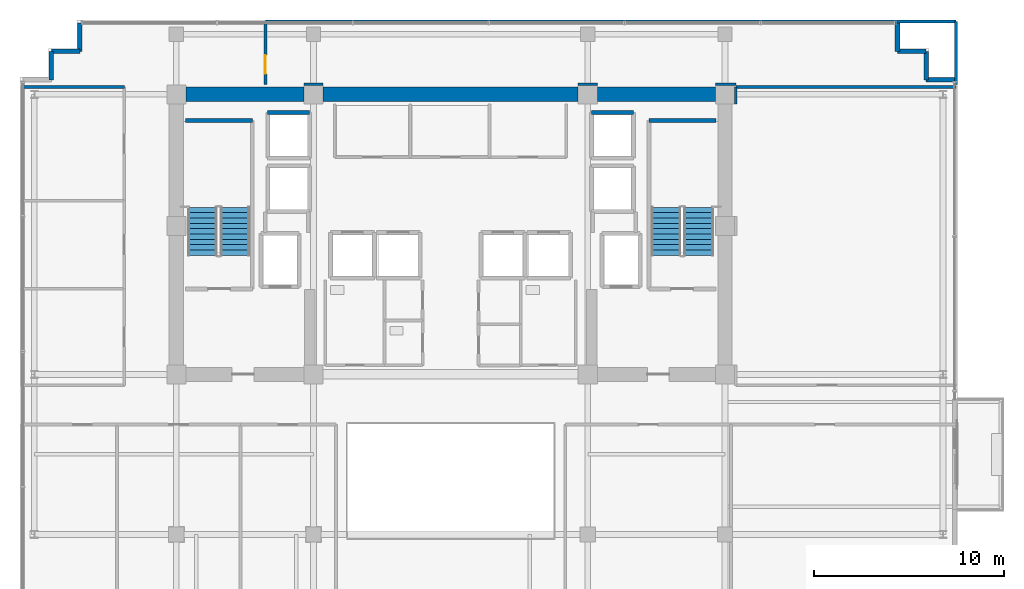
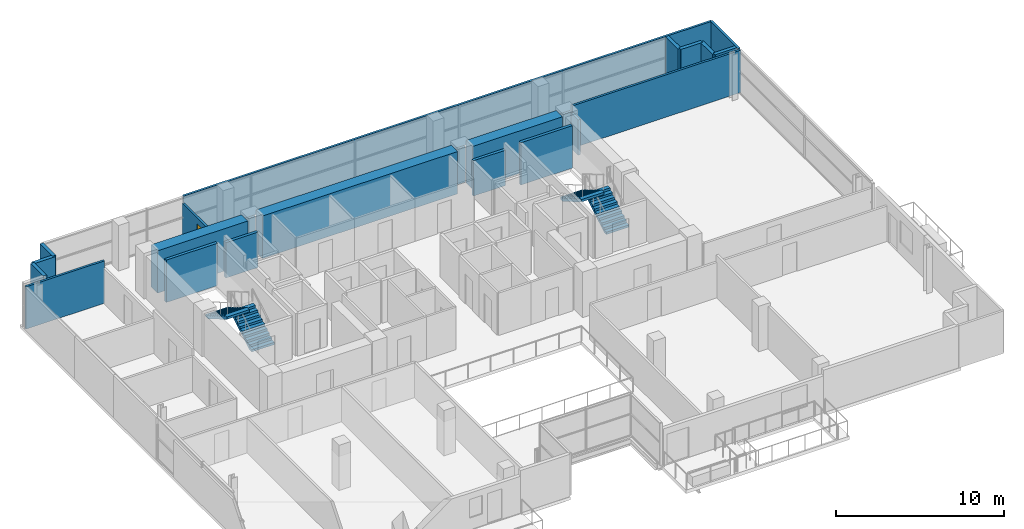
# One storey, part 19 of 23: 23 walls, 4 stair flights, 1 door, 1 opening, 2 elements without a shape of their own.
"""IFC4 building model written with IfcOpenShell, lengths in metres."""

from ifc_helpers import new_model, si_unit, direction, frame, frame_2d, origin, place, context, subcontext, project, spatial, polyline, rectangle, outline, extrude, source, transform, mapped, material, layer, layer_set, type_object, element, fill, aggregate, save


model = new_model("IFC4")

# Units and contexts
model_context = context("Model", 3, precision=1e-05, world=origin(), true_north=direction((0.0, 1.0)))
body_context = subcontext(model_context, "Body", "Model", "MODEL_VIEW")
ifc_project = project(units=[si_unit("LENGTHUNIT", "METRE"), si_unit("AREAUNIT", "SQUARE_METRE"), si_unit("VOLUMEUNIT", "CUBIC_METRE"), si_unit("PLANEANGLEUNIT", "RADIAN"), si_unit("MASSUNIT", "GRAM", prefix="KILO")], contexts=[model_context])

# Site, building, storey
site_placement = place(None, origin())
site = spatial("IfcSite", under=ifc_project, at=site_placement, CompositionType="ELEMENT")
building_placement = place(site_placement, origin())
building = spatial("IfcBuilding", under=site, at=building_placement, Name="Zarnakvel Exchange Tower", CompositionType="ELEMENT")
storey_placement = place(building_placement, frame((0.0, 0.0, 175.89990234375)))
storey = spatial("IfcBuildingStorey", under=building, at=storey_placement, Name="L49", CompositionType="ELEMENT", Elevation=175.89990234375)

# Walls
ifc_material_1 = material(Name="Concrete C60/75", Category="concrete")
ifc_layer_1 = layer(ifc_material_1, 0.75)
ifc_layer_set_1 = layer_set([ifc_layer_1], Name="Concrete C60/75")
wall_type_1 = type_object("IfcWallType", Name="CW-C3", PredefinedType="SHEAR", material=ifc_layer_set_1)
wall_1_placement = place(storey_placement, frame((-13.89990234375, 13.5, 0.0), z_axis=(0.0, 0.0, 1.0), x_axis=(1.0, 0.0, 0.0)))
element("IfcWall", 1, at=wall_1_placement, inside=storey, type_object=wall_type_1, Name="L49 Rear Core Shear Wall N1 (CW-C3)", PredefinedType="SHEAR", context=body_context, shape_type="SweptSolid", body=[
    extrude(rectangle(XDim=6.199951171875, YDim=0.75, at=frame_2d((3.10009765625, 0.0))), origin(), (0.0, 0.0, 1.0), 3.0751953125),
])
wall_2_placement = place(storey_placement, frame((-6.699951171875, 13.5, 0.0), z_axis=(0.0, 0.0, 1.0), x_axis=(1.0, 0.0, 0.0)))
element("IfcWall", 2, at=wall_2_placement, inside=storey, type_object=wall_type_1, Name="L49 Rear Core Shear Wall N2 (CW-C3)", PredefinedType="SHEAR", context=body_context, shape_type="SweptSolid", body=[
    extrude(rectangle(XDim=13.39990234375, YDim=0.75, at=frame_2d((6.699951171875, 0.0))), origin(), (0.0, 0.0, 1.0), 3.0751953125),
])
wall_3_placement = place(storey_placement, frame((7.699951171875, 13.5, 0.0), z_axis=(0.0, 0.0, 1.0), x_axis=(1.0, 0.0, 0.0)))
element("IfcWall", 3, at=wall_3_placement, inside=storey, type_object=wall_type_1, Name="L49 Rear Core Shear Wall N3 (CW-C3)", PredefinedType="SHEAR", context=body_context, shape_type="SweptSolid", body=[
    extrude(rectangle(XDim=6.199951171875, YDim=0.75, at=frame_2d((3.10009765625, 0.0))), origin(), (0.0, 0.0, 1.0), 3.0751953125),
])
ifc_material_2 = material(Name="Precast concrete C40/50", Category="concrete")
ifc_layer_2 = layer(ifc_material_2, 0.239990234375)
ifc_layer_set_2 = layer_set([ifc_layer_2], Name="Precast concrete C40/50")
wall_type_2 = type_object("IfcWallType", Name="EW-02", PredefinedType="SOLIDWALL", material=ifc_layer_set_2)
for number, where, z_axis, x_axis, name in (
    (4, (-20.9599609375, 15.760009765625, 0.0), (0.0, 0.0, 1.0), (0.0, -1.0, 0.0), "L49 Exterior Precast Spandrel Wall EWC-L49-02 (EW-02)"),
    (5, (-19.4599609375, 15.760009765625, 0.0), (0.0, 0.0, 1.0), (-1.0, 0.0, 0.0), "L49 Exterior Precast Spandrel Wall EWC-L49-03 (EW-02)"),
    (6, (-19.4599609375, 17.260009765625, 0.0), (0.0, 0.0, 1.0), (0.0, -1.0, 0.0), "L49 Exterior Precast Spandrel Wall EWC-L49-04 (EW-02)"),
    (7, (23.4599609375, 15.760009765625, 0.0), (0.0, 0.0, 1.0), (0.0, 1.0, 0.0), "L49 Exterior Precast Spandrel Wall EWC-L49-05 (EW-02)"),
    (8, (24.9599609375, 15.760009765625, 0.0), (0.0, 0.0, 1.0), (-1.0, 0.0, 0.0), "L49 Exterior Precast Spandrel Wall EWC-L49-06 (EW-02)"),
    (9, (24.9599609375, 14.260009765625, 0.0), (0.0, 0.0, 1.0), (0.0, 1.0, 0.0), "L49 Exterior Precast Spandrel Wall EWC-L49-07 (EW-02)"),
    (10, (26.4599609375, 14.260009765625, 0.0), (0.0, 0.0, 1.0), (-1.0, 0.0, 0.0), "L49 Exterior Precast Spandrel Wall EWC-L49-08 (EW-02)"),
):
    element("IfcWall", number, at=place(storey_placement, frame(where, z_axis=z_axis, x_axis=x_axis)), inside=storey, type_object=wall_type_2, Name=name, PredefinedType="SOLIDWALL", context=body_context, shape_type="SweptSolid", body=[
        extrude(rectangle(XDim=1.5, YDim=0.239990234375, at=frame_2d((0.75, 0.0))), origin(), (0.0, 0.0, 1.0), 3.0751953125),
    ])
ifc_material_3 = material(Name="Fire-Rated Gypsum Stud Partition", Category="gypsum")
ifc_layer_3 = layer(ifc_material_3, 0.14990234375)
ifc_layer_set_3 = layer_set([ifc_layer_3], Name="Fire-Rated Gypsum Stud Partition")
wall_type_3 = type_object("IfcWallType", Name="PT-01", PredefinedType="PARTITIONING", material=ifc_layer_set_3)
wall_4_placement = place(storey_placement, frame((-22.530029296875, 13.8798828125, 0.0), z_axis=(0.0, 0.0, 1.0), x_axis=(1.0, 0.0, 0.0)))
element("IfcWall", 11, at=wall_4_placement, inside=storey, type_object=wall_type_3, Name="L49 Partition Wall PWALL-L49-058 (PT-01)", PredefinedType="PARTITIONING", context=body_context, shape_type="SweptSolid", body=[
    extrude(rectangle(XDim=5.400146484375, YDim=0.14990234375, at=frame_2d((2.7001953125, 0.0))), origin(), (0.0, 0.0, 1.0), 3.0751953125),
])
wall_5_placement = place(storey_placement, frame((14.969970703125, 13.8798828125, 0.0), z_axis=(0.0, 0.0, 1.0), x_axis=(1.0, 0.0, 0.0)))
element("IfcWall", 12, at=wall_5_placement, inside=storey, type_object=wall_type_3, Name="L49 Partition Wall PWALL-L49-062 (PT-01)", PredefinedType="PARTITIONING", context=body_context, shape_type="SweptSolid", body=[
    extrude(rectangle(XDim=11.56005859375, YDim=0.14990234375, at=frame_2d((5.780029296875, 0.0))), origin(), (0.0, 0.0, 1.0), 3.0751953125),
])
wall_6_placement = place(storey_placement, frame((14.969970703125, 13.0, 0.0), z_axis=(0.0, 0.0, 1.0), x_axis=(0.0, 1.0, 0.0)))
element("IfcWall", 13, at=wall_6_placement, inside=storey, type_object=wall_type_3, Name="L49 Partition Wall PWALL-L49-065 (PT-01)", PredefinedType="PARTITIONING", context=body_context, shape_type="SweptSolid", body=[
    extrude(rectangle(XDim=0.8798828125, YDim=0.14990234375, at=frame_2d((0.43994140625, 0.0))), origin(), (0.0, 0.0, 1.0), 2.565185546875),
])
for number, where, z_axis, x_axis, name in (
    (14, (-6.699951171875, 14.030029296875, 0.0), (0.0, 0.0, 1.0), (-1.0, 0.0, 0.0), "L49 Partition Wall PWALL-L49-067 (PT-01)"),
    (15, (7.699951171875, 14.030029296875, 0.0), (0.0, 0.0, 1.0), (-1.0, 0.0, 0.0), "L49 Partition Wall PWALL-L49-068 (PT-01)"),
):
    element("IfcWall", number, at=place(storey_placement, frame(where, z_axis=z_axis, x_axis=x_axis)), inside=storey, type_object=wall_type_3, Name=name, PredefinedType="PARTITIONING", context=body_context, shape_type="SweptSolid", body=[
        extrude(rectangle(XDim=1.0, YDim=0.14990234375, at=frame_2d((0.5, 0.0))), origin(), (0.0, 0.0, 1.0), 2.565185546875),
    ])
wall_7_placement = place(storey_placement, frame((14.969970703125, 14.030029296875, 0.0), z_axis=(0.0, 0.0, 1.0), x_axis=(-1.0, 0.0, 0.0)))
element("IfcWall", 16, at=wall_7_placement, inside=storey, type_object=wall_type_3, Name="L49 Partition Wall PWALL-L49-069 (PT-01)", PredefinedType="PARTITIONING", context=body_context, shape_type="SweptSolid", body=[
    extrude(rectangle(XDim=1.070068359375, YDim=0.14990234375, at=frame_2d((0.53515625, 0.0))), origin(), (0.0, 0.0, 1.0), 2.565185546875),
])
wall_8_placement = place(storey_placement, frame((-9.719970703125, 17.330078125, 0.0), z_axis=(0.0, 0.0, 1.0), x_axis=(1.0, 0.0, 0.0)))
element("IfcWall", 17, at=wall_8_placement, inside=storey, type_object=wall_type_3, Name="L49 Partition Wall PWALL-L49-070 (PT-01)", PredefinedType="PARTITIONING", context=body_context, shape_type="SweptSolid", body=[
    extrude(rectangle(XDim=36.25, YDim=0.14990234375, at=frame_2d((18.125, 0.0))), origin(), (0.0, 0.0, 1.0), 3.0751953125),
])

# Wall, opening, door
wall_9_placement = place(storey_placement, frame((-9.719970703125, 14.030029296875, 0.0), z_axis=(0.0, 0.0, 1.0), x_axis=(0.0, 1.0, 0.0)))
wall_9 = element("IfcWall", 18, at=wall_9_placement, inside=storey, type_object=wall_type_3, Name="L49 Partition Wall PWALL-L49-071 (PT-01)", PredefinedType="PARTITIONING", context=body_context, shape_type="SweptSolid", body=[
    extrude(rectangle(XDim=3.300048828125, YDim=0.14990234375, at=frame_2d((1.64990234375, 0.0))), origin(), (0.0, 0.0, 1.0), 2.565185546875),
])
opening_placement = place(wall_9_placement, frame((0.550048828125, 0.0, 0.0)))
opening = element("IfcOpeningElement", 19, at=opening_placement, cuts=wall_9, Name="Opening D-L49-23", PredefinedType="OPENING", context=body_context, shape_type="SweptSolid", body=[
    extrude(rectangle(XDim=0.97998046875, YDim=2.14990234375, at=frame_2d((0.489990234375, 1.074951171875))), frame((0.0, 0.0849609375, 0.0), z_axis=(0.0, -1.0, 0.0), x_axis=(1.0, 0.0, 0.0)), (0.0, 0.0, 1.0), 0.169921875),
])
ifc_material_4 = material(Name="Timber Acoustic Veneer", Category="wood")
door_type = type_object("IfcDoorType", Name="DT-05", OperationType="NOTDEFINED", PredefinedType="DOOR", material=ifc_material_4)
shared_shape = source(origin(), body_context, "Body", "SweptSolid", [
    extrude(rectangle(XDim=0.97998046875, YDim=2.14990234375, at=frame_2d((0.489990234375, 1.074951171875))), frame((0.0, 0.02490234375, 0.0), z_axis=(0.0, -1.0, 0.0), x_axis=(1.0, 0.0, 0.0)), (0.0, 0.0, 1.0), 0.050048828125),
])
door_placement = place(opening_placement, origin())
door = element("IfcDoor", 20, at=door_placement, inside=storey, type_object=door_type, Name="L49 Fintech Workspace Door D-L49-23", OperationType="SINGLE_SWING_LEFT", OverallHeight=2.14990234375, OverallWidth=0.97998046875, PredefinedType="DOOR", context=body_context, shape_type="MappedRepresentation", body=[
    mapped(shared_shape, transform((0.0, 0.0, 0.0), x_axis=(1.0, 0.0, 0.0), y_axis=(0.0, 1.0, 0.0), z_axis=(0.0, 0.0, 1.0), scale=1.0)),
])
fill(opening, door)

# Walls
wall_10_placement = place(storey_placement, frame((26.530029296875, 17.330078125, 0.0), z_axis=(0.0, 0.0, 1.0), x_axis=(0.0, -1.0, 0.0)))
element("IfcWall", 21, at=wall_10_placement, inside=storey, type_object=wall_type_3, Name="L49 Partition Wall PWALL-L49-072 (PT-01)", PredefinedType="PARTITIONING", context=body_context, shape_type="SweptSolid", body=[
    extrude(rectangle(XDim=3.300048828125, YDim=0.14990234375, at=frame_2d((1.64990234375, 0.0))), origin(), (0.0, 0.0, 1.0), 3.0751953125),
])
ifc_material_5 = material(Name="Concrete C40/50", Category="concrete")
ifc_layer_4 = layer(ifc_material_5, 0.199951171875)
ifc_layer_set_4 = layer_set([ifc_layer_4], Name="Concrete C40/50")
wall_type_4 = type_object("IfcWallType", Name="SW-01", PredefinedType="SOLIDWALL", material=ifc_layer_set_4)
for number, where, z_axis, x_axis, name in (
    (22, (-9.60009765625, 12.550048828125, 0.0), (0.0, 0.0, 1.0), (1.0, 0.0, 0.0), "L49 PL-10 Hoistway Wall North"),
    (23, (7.39990234375, 12.550048828125, 0.0), (0.0, 0.0, 1.0), (1.0, 0.0, 0.0), "L49 PL-12 Hoistway Wall North"),
):
    element("IfcWall", number, at=place(storey_placement, frame(where, z_axis=z_axis, x_axis=x_axis)), inside=storey, type_object=wall_type_4, Name=name, PredefinedType="SOLIDWALL", context=body_context, shape_type="SweptSolid", body=[
        extrude(rectangle(XDim=2.2001953125, YDim=0.199951171875, at=frame_2d((1.10009765625, 0.0))), origin(), (0.0, 0.0, 1.0), 2.565185546875),
    ])
ifc_layer_5 = layer(ifc_material_5, 0.199951171875)
ifc_layer_set_5 = layer_set([ifc_layer_5], Name="Concrete C40/50")
wall_type_5 = type_object("IfcWallType", Name="SW-02", PredefinedType="SOLIDWALL", material=ifc_layer_set_5)
for number, where, z_axis, x_axis, name in (
    (24, (-13.929931640625, 12.1298828125, 0.0), (0.0, 0.0, 1.0), (1.0, 0.0, 0.0), "L49 Stairwell Core Wall PWALL-L49-002 (SW-02)"),
    (25, (10.409912109375, 12.1298828125, 0.0), (0.0, 0.0, 1.0), (1.0, 0.0, 0.0), "L49 Stairwell Core Wall PWALL-L49-005 (SW-02)"),
):
    element("IfcWall", number, at=place(storey_placement, frame(where, z_axis=z_axis, x_axis=x_axis)), inside=storey, type_object=wall_type_5, Name=name, PredefinedType="SOLIDWALL", context=body_context, shape_type="SweptSolid", body=[
        extrude(rectangle(XDim=3.52001953125, YDim=0.199951171875, at=frame_2d((1.760009765625, 0.0))), origin(), (0.0, 0.0, 1.0), 3.0751953125),
    ])

# Stair, stair flights
stair_type = type_object("IfcStairType", Name="STR-01", PredefinedType="HALF_TURN_STAIR", material=ifc_material_5)
stair_1_placement = place(storey_placement, origin())
stair_1 = element("IfcStair", 26, at=stair_1_placement, inside=storey, type_object=stair_type, Name="L49 Protected Core Exit Stair ST-01", PredefinedType="HALF_TURN_STAIR")
stair_flight_type = type_object("IfcStairFlightType", Name="FLT-01", PredefinedType="STRAIGHT", material=ifc_material_5)
stair_flight_1_placement = place(storey_placement, frame((-11.31494140625, 5.050048828125, 0.0), z_axis=(0.0, 0.0, 1.0), x_axis=(0.0, 1.0, 0.0)))
stair_flight_1 = element("IfcStairFlight", 27, at=stair_flight_1_placement, type_object=stair_flight_type, Name="ST-01 flight 1", NumberOfRisers=10, NumberOfTreads=9, PredefinedType="STRAIGHT", RiserHeight=0.165, TreadLength=0.28, context=body_context, shape_type="SweptSolid", body=[
    extrude(outline(polyline([(0.0, 0.0), (0.0, 0.1650390625), (0.280029296875, 0.1650390625), (0.280029296875, 0.330078125), (0.56005859375, 0.330078125), (0.56005859375, 0.4951171875), (0.840087890625, 0.4951171875), (0.840087890625, 0.659912109375), (1.1201171875, 0.659912109375), (1.1201171875, 0.824951171875), (1.39990234375, 0.824951171875), (1.39990234375, 0.989990234375), (1.679931640625, 0.989990234375), (1.679931640625, 1.155029296875), (1.9599609375, 1.155029296875), (1.9599609375, 1.320068359375), (2.239990234375, 1.320068359375), (2.239990234375, 1.485107421875), (2.52001953125, 1.485107421875), (2.52001953125, 1.64990234375), (2.52001953125, 1.31103515625), (0.295166015625, 0.0), (0.0, 0.0)])), frame((0.0, 0.77490234375, 0.0), z_axis=(0.0, -1.0, 0.0), x_axis=(1.0, 0.0, 0.0)), (0.0, 0.0, 1.0), 1.550048828125),
])
stair_flight_2_placement = place(storey_placement, frame((-13.02490234375, 7.570068359375, 1.650146484375), z_axis=(0.0, 0.0, 1.0), x_axis=(0.0, -1.0, 0.0)))
stair_flight_2 = element("IfcStairFlight", 28, at=stair_flight_2_placement, type_object=stair_flight_type, Name="ST-01 flight 2", NumberOfRisers=10, NumberOfTreads=9, PredefinedType="STRAIGHT", RiserHeight=0.165, TreadLength=0.28, context=body_context, shape_type="SweptSolid", body=[
    extrude(outline(polyline([(0.0, 0.0), (0.0, 0.1650390625), (0.280029296875, 0.1650390625), (0.280029296875, 0.330078125), (0.56005859375, 0.330078125), (0.56005859375, 0.4951171875), (0.840087890625, 0.4951171875), (0.840087890625, 0.659912109375), (1.1201171875, 0.659912109375), (1.1201171875, 0.824951171875), (1.39990234375, 0.824951171875), (1.39990234375, 0.989990234375), (1.679931640625, 0.989990234375), (1.679931640625, 1.155029296875), (1.9599609375, 1.155029296875), (1.9599609375, 1.320068359375), (2.239990234375, 1.320068359375), (2.239990234375, 1.485107421875), (2.52001953125, 1.485107421875), (2.52001953125, 1.64990234375), (2.52001953125, 1.31103515625), (0.295166015625, 0.0), (0.0, 0.0)])), frame((0.0, 0.77490234375, 0.0), z_axis=(0.0, -1.0, 0.0), x_axis=(1.0, 0.0, 0.0)), (0.0, 0.0, 1.0), 1.550048828125),
])
aggregate(stair_1, [stair_flight_1, stair_flight_2])

stair_2_placement = place(storey_placement, origin())
stair_2 = element("IfcStair", 29, at=stair_2_placement, inside=storey, type_object=stair_type, Name="L49 Protected Core Exit Stair ST-02", PredefinedType="HALF_TURN_STAIR")
stair_flight_3_placement = place(storey_placement, frame((13.02490234375, 5.050048828125, 0.0), z_axis=(0.0, 0.0, 1.0), x_axis=(0.0, 1.0, 0.0)))
stair_flight_3 = element("IfcStairFlight", 30, at=stair_flight_3_placement, type_object=stair_flight_type, Name="ST-02 flight 1", NumberOfRisers=10, NumberOfTreads=9, PredefinedType="STRAIGHT", RiserHeight=0.165, TreadLength=0.28, context=body_context, shape_type="SweptSolid", body=[
    extrude(outline(polyline([(0.0, 0.0), (0.0, 0.1650390625), (0.280029296875, 0.1650390625), (0.280029296875, 0.330078125), (0.56005859375, 0.330078125), (0.56005859375, 0.4951171875), (0.840087890625, 0.4951171875), (0.840087890625, 0.659912109375), (1.1201171875, 0.659912109375), (1.1201171875, 0.824951171875), (1.39990234375, 0.824951171875), (1.39990234375, 0.989990234375), (1.679931640625, 0.989990234375), (1.679931640625, 1.155029296875), (1.9599609375, 1.155029296875), (1.9599609375, 1.320068359375), (2.239990234375, 1.320068359375), (2.239990234375, 1.485107421875), (2.52001953125, 1.485107421875), (2.52001953125, 1.64990234375), (2.52001953125, 1.31103515625), (0.295166015625, 0.0), (0.0, 0.0)])), frame((0.0, 0.77490234375, 0.0), z_axis=(0.0, -1.0, 0.0), x_axis=(1.0, 0.0, 0.0)), (0.0, 0.0, 1.0), 1.550048828125),
])
stair_flight_4_placement = place(storey_placement, frame((11.31494140625, 7.570068359375, 1.650146484375), z_axis=(0.0, 0.0, 1.0), x_axis=(0.0, -1.0, 0.0)))
stair_flight_4 = element("IfcStairFlight", 31, at=stair_flight_4_placement, type_object=stair_flight_type, Name="ST-02 flight 2", NumberOfRisers=10, NumberOfTreads=9, PredefinedType="STRAIGHT", RiserHeight=0.165, TreadLength=0.28, context=body_context, shape_type="SweptSolid", body=[
    extrude(outline(polyline([(0.0, 0.0), (0.0, 0.1650390625), (0.280029296875, 0.1650390625), (0.280029296875, 0.330078125), (0.56005859375, 0.330078125), (0.56005859375, 0.4951171875), (0.840087890625, 0.4951171875), (0.840087890625, 0.659912109375), (1.1201171875, 0.659912109375), (1.1201171875, 0.824951171875), (1.39990234375, 0.824951171875), (1.39990234375, 0.989990234375), (1.679931640625, 0.989990234375), (1.679931640625, 1.155029296875), (1.9599609375, 1.155029296875), (1.9599609375, 1.320068359375), (2.239990234375, 1.320068359375), (2.239990234375, 1.485107421875), (2.52001953125, 1.485107421875), (2.52001953125, 1.64990234375), (2.52001953125, 1.31103515625), (0.295166015625, 0.0), (0.0, 0.0)])), frame((0.0, 0.77490234375, 0.0), z_axis=(0.0, -1.0, 0.0), x_axis=(1.0, 0.0, 0.0)), (0.0, 0.0, 1.0), 1.550048828125),
])
aggregate(stair_2, [stair_flight_3, stair_flight_4])

save(model, "model.ifc")
